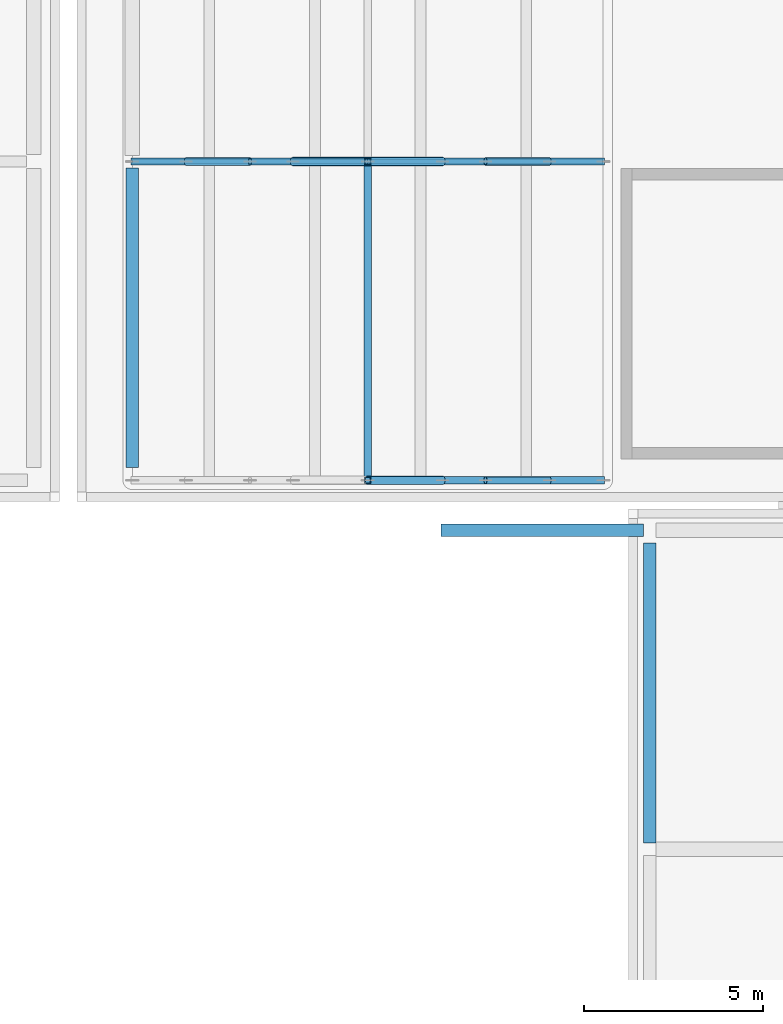
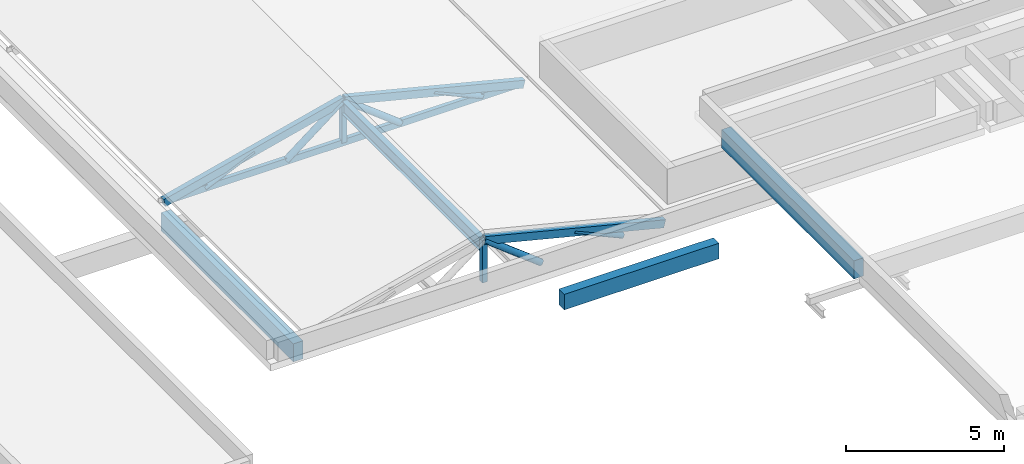
# One storey, part 2 of 40: 12 members, 4 beams.
"""IFC4 building model written with IfcOpenShell, lengths in metres."""

from ifc_helpers import new_model, si_unit, direction, frame, origin, origin_2d, place, context, subcontext, project, spatial, rectangle, hollow_rectangle, hollow_circle, i_section, extrude, material, material_profile, profile_set, type_object, element, save


model = new_model("IFC4")

# Units and contexts
model_context = context("Model", 3, precision=1e-05, world=origin(), true_north=direction((0.0, 1.0)))
body_context = subcontext(model_context, "Body", "Model", "MODEL_VIEW")
ifc_project = project(units=[si_unit("LENGTHUNIT", "METRE"), si_unit("AREAUNIT", "SQUARE_METRE"), si_unit("VOLUMEUNIT", "CUBIC_METRE"), si_unit("PLANEANGLEUNIT", "RADIAN"), si_unit("MASSUNIT", "GRAM", prefix="KILO")], contexts=[model_context])

# Site, building, storey
site_placement = place(None, origin())
site = spatial("IfcSite", under=ifc_project, at=site_placement, CompositionType="ELEMENT")
building_placement = place(site_placement, origin())
building = spatial("IfcBuilding", under=site, at=building_placement, Name="Mzevani Central Library", CompositionType="ELEMENT")
storey_placement = place(building_placement, frame((0.0, 0.0, 26.699951171875)))
storey = spatial("IfcBuildingStorey", under=building, at=storey_placement, Name="RF", CompositionType="ELEMENT", Elevation=26.699951171875)

# Member
ifc_material_1 = material(Name="Steel S355J2", Category="steel")
ifc_material_profile_1 = material_profile(ifc_material_1, hollow_rectangle(XDim=0.14990234375, YDim=0.25, WallThickness=0.010009765625, at=origin_2d()), Name="RHS 250x150x10.0")
ifc_profile_set_1 = profile_set([ifc_material_profile_1], Name="Steel S355J2")
member_type_1 = type_object("IfcMemberType", Name="Auditorium Bottom Chord RHS 250x150", PredefinedType="CHORD", material=ifc_profile_set_1)
member_1_placement = place(storey_placement, frame((21.35009765625, 52.0, -12.8798828125), z_axis=(1.0, 0.0, 0.0), x_axis=(0.0, 1.0, 0.0)))
element("IfcMember", 1, at=member_1_placement, inside=storey, type_object=member_type_1, Name="RF Auditorium Truss 2 Bottom Chord", PredefinedType="CHORD", context=body_context, shape_type="SweptSolid", body=[
    extrude(hollow_rectangle(XDim=0.14990234375, YDim=0.25, WallThickness=0.010009765625, at=origin_2d()), origin(), (0.0, 0.0, 1.0), 13.14990234375),
])

# Beam
ifc_material_profile_2 = material_profile(ifc_material_1, i_section(OverallWidth=0.199951171875, OverallDepth=0.5, WebThickness=0.01025390625, FlangeThickness=0.01611328125, FilletRadius=0.02099609375, at=origin_2d()), Name="IPE 500")
ifc_profile_set_2 = profile_set([ifc_material_profile_2], Name="Steel S355J2")
beam_type_1 = type_object("IfcBeamType", Name="Auditorium Roof Beam IPE 500", PredefinedType="BEAM", material=ifc_profile_set_2)
beam_1_placement = place(storey_placement, frame((27.925048828125, 43.179931640625, -11.47998046875), z_axis=(0.0, 1.0, 0.0), x_axis=(-1.0, 0.0, 0.0)))
element("IfcBeam", 2, at=beam_1_placement, inside=storey, type_object=beam_type_1, Name="RF Auditorium Ridge Girder 1", PredefinedType="BEAM", context=body_context, shape_type="SweptSolid", body=[
    extrude(i_section(OverallWidth=0.199951171875, OverallDepth=0.5, WebThickness=0.01025390625, FlangeThickness=0.01611328125, FilletRadius=0.02099609375, at=origin_2d()), origin(), (0.0, 0.0, 1.0), 8.739990234375),
])

# Members
ifc_material_profile_3 = material_profile(ifc_material_1, hollow_rectangle(XDim=0.199951171875, YDim=0.300048828125, WallThickness=0.012451171875, at=origin_2d()), Name="RHS 300x200x12.5")
ifc_profile_set_3 = profile_set([ifc_material_profile_3], Name="Steel S355J2")
member_type_2 = type_object("IfcMemberType", Name="Auditorium Top Chord RHS 300x200", PredefinedType="CHORD", material=ifc_profile_set_3)
for number, where, z_axis, x_axis, name in (
    (3, (27.925048828125, 43.10009765625, -11.260009765625), (0.96992814932, 0.0, -0.243391423753), (0.0, 1.0, 0.0), "RF Auditorium Truss 1 East Top Chord"),
    (4, (21.35009765625, 52.0, -12.909912109375), (0.96992814932, 0.0, 0.243391423753), (0.0, 1.0, 0.0), "RF Auditorium Truss 2 West Top Chord"),
    (5, (27.925048828125, 52.0, -11.260009765625), (0.96992814932, 0.0, -0.243391423753), (0.0, 1.0, 0.0), "RF Auditorium Truss 2 East Top Chord"),
):
    element("IfcMember", number, at=place(storey_placement, frame(where, z_axis=z_axis, x_axis=x_axis)), inside=storey, type_object=member_type_2, Name=name, PredefinedType="CHORD", context=body_context, shape_type="SweptSolid", body=[
        extrude(hollow_rectangle(XDim=0.199951171875, YDim=0.300048828125, WallThickness=0.012451171875, at=origin_2d()), origin(), (0.0, 0.0, 1.0), 6.77880859375),
    ])
ifc_material_profile_4 = material_profile(ifc_material_1, hollow_circle(Radius=0.122314453125, WallThickness=0.012451171875, at=origin_2d()), Name="CHS 244.5x12.5")
ifc_profile_set_4 = profile_set([ifc_material_profile_4], Name="Steel S355J2")
member_type_3 = type_object("IfcMemberType", Name="Auditorium Truss Strut CHS 244.5", PredefinedType="BRACE", material=ifc_profile_set_4)
member_2_placement = place(storey_placement, frame((30.012451171875, 43.10009765625, -12.8798828125), z_axis=(-0.790023424808, 0.0, 0.613076657731), x_axis=(0.0, -1.0, 0.0)))
element("IfcMember", 6, at=member_2_placement, inside=storey, type_object=member_type_3, Name="RF Auditorium Truss 1 Web 3", PredefinedType="BRACE", context=body_context, shape_type="SweptSolid", body=[
    extrude(hollow_circle(Radius=0.122314453125, WallThickness=0.012451171875, at=origin_2d()), origin(), (0.0, 0.0, 1.0), 2.64208984375),
])
member_3_placement = place(storey_placement, frame((25.83740234375, 52.0, -12.8798828125), z_axis=(0.790058150896, 0.0, 0.61303190635), x_axis=(0.0, 1.0, 0.0)))
element("IfcMember", 7, at=member_3_placement, inside=storey, type_object=member_type_3, Name="RF Auditorium Truss 2 Web 2", PredefinedType="BRACE", context=body_context, shape_type="SweptSolid", body=[
    extrude(hollow_circle(Radius=0.122314453125, WallThickness=0.012451171875, at=origin_2d()), origin(), (0.0, 0.0, 1.0), 2.642333984375),
])
member_4_placement = place(storey_placement, frame((30.012451171875, 52.0, -12.8798828125), z_axis=(-0.790023424808, 0.0, 0.613076657731), x_axis=(0.0, -1.0, 0.0)))
element("IfcMember", 8, at=member_4_placement, inside=storey, type_object=member_type_3, Name="RF Auditorium Truss 2 Web 3", PredefinedType="BRACE", context=body_context, shape_type="SweptSolid", body=[
    extrude(hollow_circle(Radius=0.122314453125, WallThickness=0.012451171875, at=origin_2d()), origin(), (0.0, 0.0, 1.0), 2.64208984375),
])
ifc_material_profile_5 = material_profile(ifc_material_1, hollow_circle(Radius=0.109619140625, WallThickness=0.012451171875, at=origin_2d()), Name="CHS 219.1x12.5")
ifc_profile_set_5 = profile_set([ifc_material_profile_5], Name="Steel S355J2")
member_type_4 = type_object("IfcMemberType", Name="Auditorium Truss Web CHS 219.1", PredefinedType="BRACE", material=ifc_profile_set_5)
member_5_placement = place(storey_placement, frame((33.0, 43.10009765625, -12.8798828125), z_axis=(-0.913729192656, 0.0, 0.406323716374), x_axis=(0.0, -1.0, 0.0)))
element("IfcMember", 9, at=member_5_placement, inside=storey, type_object=member_type_4, Name="RF Auditorium Truss 1 Web 4", PredefinedType="BRACE", context=body_context, shape_type="SweptSolid", body=[
    extrude(hollow_circle(Radius=0.109619140625, WallThickness=0.012451171875, at=origin_2d()), origin(), (0.0, 0.0, 1.0), 1.956298828125),
])
member_6_placement = place(storey_placement, frame((22.85009765625, 52.0, -12.8798828125), z_axis=(0.913708586053, 0.0, 0.406370052751), x_axis=(0.0, 1.0, 0.0)))
element("IfcMember", 10, at=member_6_placement, inside=storey, type_object=member_type_4, Name="RF Auditorium Truss 2 Web 1", PredefinedType="BRACE", context=body_context, shape_type="SweptSolid", body=[
    extrude(hollow_circle(Radius=0.109619140625, WallThickness=0.012451171875, at=origin_2d()), origin(), (0.0, 0.0, 1.0), 1.9560546875),
])
member_7_placement = place(storey_placement, frame((33.0, 52.0, -12.8798828125), z_axis=(-0.913729192656, 0.0, 0.406323716374), x_axis=(0.0, -1.0, 0.0)))
element("IfcMember", 11, at=member_7_placement, inside=storey, type_object=member_type_4, Name="RF Auditorium Truss 2 Web 4", PredefinedType="BRACE", context=body_context, shape_type="SweptSolid", body=[
    extrude(hollow_circle(Radius=0.109619140625, WallThickness=0.012451171875, at=origin_2d()), origin(), (0.0, 0.0, 1.0), 1.956298828125),
])

# Beams
ifc_material_2 = material(Name="Concrete C35/45", Category="concrete")
ifc_material_profile_6 = material_profile(ifc_material_2, rectangle(XDim=0.35009765625, YDim=0.60009765625, at=origin_2d()), Name="RC B350x600")
ifc_profile_set_6 = profile_set([ifc_material_profile_6], Name="Concrete C35/45")
beam_type_2 = type_object("IfcBeamType", Name="Beam RC 350x600", PredefinedType="BEAM", material=ifc_profile_set_6)
beam_2_placement = place(storey_placement, frame((29.97509765625, 41.699951171875, -13.4599609375), z_axis=(1.0, 0.0, 0.0), x_axis=(0.0, 1.0, 0.0)))
element("IfcBeam", 12, at=beam_2_placement, inside=storey, type_object=beam_type_2, Name="RF V4 Girder B-04 (871)", PredefinedType="BEAM", context=body_context, shape_type="SweptSolid", body=[
    extrude(rectangle(XDim=0.35009765625, YDim=0.60009765625, at=origin_2d()), origin(), (0.0, 0.0, 1.0), 5.64990234375),
])
ifc_material_profile_7 = material_profile(ifc_material_2, rectangle(XDim=0.35009765625, YDim=0.699951171875, at=origin_2d()), Name="RC B350x700")
ifc_profile_set_7 = profile_set([ifc_material_profile_7], Name="Concrete C35/45")
beam_type_3 = type_object("IfcBeamType", Name="Beam RC 350x700", PredefinedType="BEAM", material=ifc_profile_set_7)
for number, where, z_axis, x_axis, name in (
    (13, (35.800048828125, 32.97509765625, -9.010009765625), (0.0, 1.0, 0.0), (-1.0, 0.0, 0.0), "RF V4 Frame Beam B-06 (893)"),
    (14, (21.35009765625, 43.449951171875, -13.510009765625), (0.0, 1.0, 0.0), (-1.0, 0.0, 0.0), "RF V5 Frame Beam B-06 (1025)"),
):
    element("IfcBeam", number, at=place(storey_placement, frame(where, z_axis=z_axis, x_axis=x_axis)), inside=storey, type_object=beam_type_3, Name=name, PredefinedType="BEAM", context=body_context, shape_type="SweptSolid", body=[
        extrude(rectangle(XDim=0.35009765625, YDim=0.699951171875, at=origin_2d()), origin(), (0.0, 0.0, 1.0), 8.375),
    ])

# Members
ifc_material_profile_8 = material_profile(ifc_material_1, hollow_rectangle(XDim=0.179931640625, YDim=0.179931640625, WallThickness=0.010009765625, at=origin_2d()), Name="SHS 180x180x10.0")
ifc_profile_set_8 = profile_set([ifc_material_profile_8], Name="Steel S355J2")
member_type_5 = type_object("IfcMemberType", Name="Truss King Post SHS 180x180", PredefinedType="POST", material=ifc_profile_set_8)
for number, where, z_axis, x_axis, name in (
    (15, (27.925048828125, 43.10009765625, -12.8798828125), (0.0, 0.0, 1.0), (1.0, 0.0, 0.0), "RF Auditorium Truss 1 King Post"),
    (16, (27.925048828125, 52.0, -12.8798828125), (0.0, 0.0, 1.0), (1.0, 0.0, 0.0), "RF Auditorium Truss 2 King Post"),
):
    element("IfcMember", number, at=place(storey_placement, frame(where, z_axis=z_axis, x_axis=x_axis)), inside=storey, type_object=member_type_5, Name=name, PredefinedType="POST", context=body_context, shape_type="SweptSolid", body=[
        extrude(hollow_rectangle(XDim=0.179931640625, YDim=0.179931640625, WallThickness=0.010009765625, at=origin_2d()), origin(), (0.0, 0.0, 1.0), 1.619873046875),
    ])

save(model, "model.ifc")
